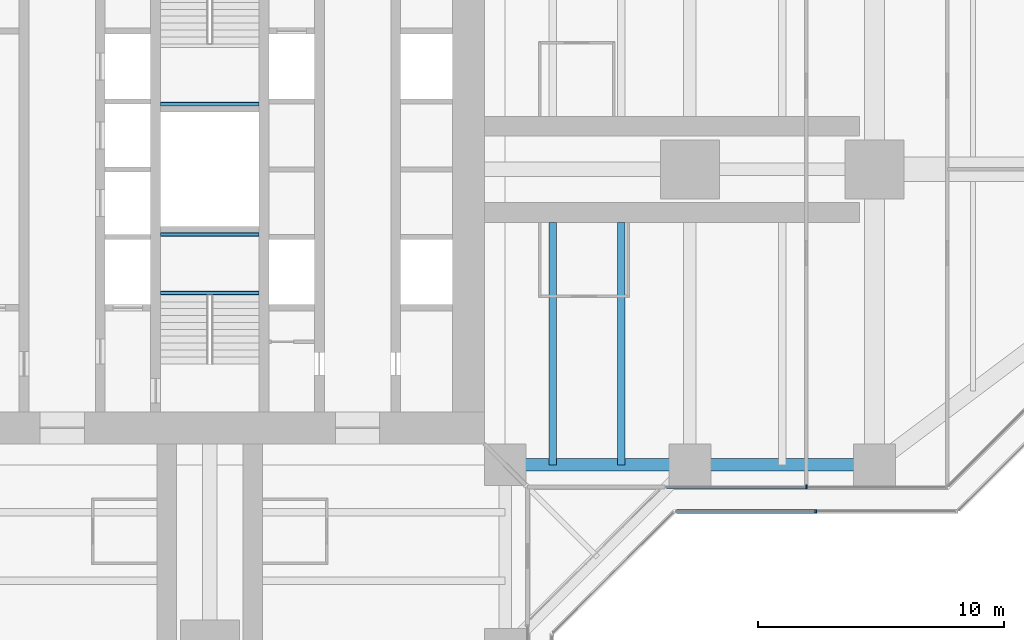
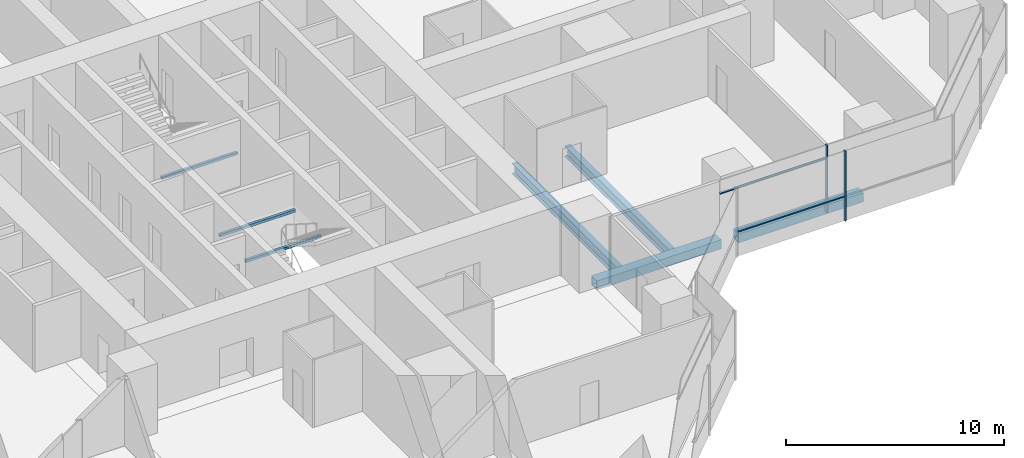
# One storey, part 5 of 20: 7 beams, 4 members, 2 elements without a shape of their own.
"""IFC4 building model written with IfcOpenShell, lengths in metres."""

from ifc_helpers import new_model, si_unit, direction, frame, origin, origin_2d, place, context, subcontext, project, spatial, rectangle, hollow_rectangle, i_section, extrude, material, material_profile, profile_set, type_object, element, aggregate, save


model = new_model("IFC4")

# Units and contexts
model_context = context("Model", 3, precision=1e-05, world=origin(), true_north=direction((0.0, 1.0)))
body_context = subcontext(model_context, "Body", "Model", "MODEL_VIEW")
ifc_project = project(units=[si_unit("LENGTHUNIT", "METRE"), si_unit("AREAUNIT", "SQUARE_METRE"), si_unit("VOLUMEUNIT", "CUBIC_METRE"), si_unit("PLANEANGLEUNIT", "RADIAN"), si_unit("MASSUNIT", "GRAM", prefix="KILO")], contexts=[model_context])

# Site, building, storey
site_placement = place(None, origin())
site = spatial("IfcSite", under=ifc_project, at=site_placement, CompositionType="ELEMENT")
building_placement = place(site_placement, origin())
building = spatial("IfcBuilding", under=site, at=building_placement, Name="Mizan Broadcast Tower", CompositionType="ELEMENT")
storey_placement = place(building_placement, frame((0.0, 0.0, 190.5)))
storey = spatial("IfcBuildingStorey", under=building, at=storey_placement, Name="L44", CompositionType="ELEMENT", Elevation=190.5)

# Beams
ifc_material_1 = material(Name="Steel S355", Category="steel")
ifc_material_profile_1 = material_profile(ifc_material_1, hollow_rectangle(XDim=0.5, YDim=0.5, WallThickness=0.030029296875, at=origin_2d()), Name="BOX 500x500x30")
ifc_profile_set_1 = profile_set([ifc_material_profile_1], Name="Steel S355")
beam_type_1 = type_object("IfcBeamType", Name="EDGE BEAM BOX 500x500x30", PredefinedType="SPANDREL", material=ifc_profile_set_1)
for number, where, z_axis, x_axis, name in (
    (1, (12.449951171875, -12.0, -0.3798828125), (1.0, 0.0, 0.0), (0.0, 1.0, 0.0), "Edge beam BOX 500x500x30 L44 east arm"),
    (2, (19.949951171875, -12.0, -0.3798828125), (1.0, 0.0, 0.0), (0.0, 1.0, 0.0), "Edge beam BOX 500x500x30 L44 east arm"),
):
    element("IfcBeam", number, at=place(storey_placement, frame(where, z_axis=z_axis, x_axis=x_axis)), inside=storey, type_object=beam_type_1, Name=name, PredefinedType="SPANDREL", context=body_context, shape_type="SweptSolid", body=[
        extrude(hollow_rectangle(XDim=0.5, YDim=0.5, WallThickness=0.030029296875, at=origin_2d()), origin(), (0.0, 0.0, 1.0), 6.60009765625),
    ])

# Curtain wall, members
ifc_material_2 = material(Name="Aluminium framed glazing", Category="aluminium")
curtain_wall_type_1 = type_object("IfcCurtainWallType", Name="INNER SKIN MID ZONE", PredefinedType="USERDEFINED", material=ifc_material_2)
curtain_wall_1_placement = place(storey_placement, origin())
curtain_wall_1 = element("IfcCurtainWall", 3, at=curtain_wall_1_placement, inside=storey, type_object=curtain_wall_type_1, Name="Inner skin mid zone L44 E side", ObjectType="INNER SKIN MID ZONE", PredefinedType="USERDEFINED")
ifc_material_3 = material(Name="Aluminium, pale anodised", Category="aluminium")
ifc_material_profile_2 = material_profile(ifc_material_3, rectangle(XDim=0.159912109375, YDim=0.06005859375, at=origin_2d()), Name="MULLION 160x60")
ifc_profile_set_2 = profile_set([ifc_material_profile_2], Name="Aluminium, pale anodised")
member_type_1 = type_object("IfcMemberType", Name="INNER SKIN MULLION 60x160", PredefinedType="MULLION", material=ifc_profile_set_2)
member_1_placement = place(storey_placement, frame((24.229248046875, -12.89990234375, 0.0), z_axis=(0.0, 0.0, 1.0), x_axis=(0.0, 1.0, 0.0)))
member_1 = element("IfcMember", 4, at=member_1_placement, type_object=member_type_1, Name="Inner skin mid zone L44 E side mullion 2", PredefinedType="MULLION", context=body_context, shape_type="SweptSolid", body=[
    extrude(rectangle(XDim=0.159912109375, YDim=0.06005859375, at=origin_2d()), origin(), (0.0, 0.0, 1.0), 3.77001953125),
])
ifc_material_4 = material(Name="Aluminium, pale anodised", Category="aluminium")
ifc_material_profile_3 = material_profile(ifc_material_4, rectangle(XDim=0.1201171875, YDim=0.06005859375, at=origin_2d()), Name="TRANSOM 120x60")
ifc_profile_set_3 = profile_set([ifc_material_profile_3], Name="Aluminium, pale anodised")
member_type_2 = type_object("IfcMemberType", Name="INNER SKIN TRANSOM 60x120", PredefinedType="USERDEFINED", material=ifc_profile_set_3)
member_2_placement = place(storey_placement, frame((18.56005859375, -12.89990234375, 3.030029296875), z_axis=(1.0, 0.0, 0.0), x_axis=(0.0, 1.0, 0.0)))
member_2 = element("IfcMember", 5, at=member_2_placement, type_object=member_type_2, Name="Inner skin mid zone L44 E side transom 1.1", ObjectType="TRANSOM", PredefinedType="USERDEFINED", context=body_context, shape_type="SweptSolid", body=[
    extrude(rectangle(XDim=0.1201171875, YDim=0.06005859375, at=origin_2d()), origin(), (0.0, 0.0, 1.0), 5.63916015625),
])
aggregate(curtain_wall_1, [member_1, member_2])

# Beams
ifc_material_5 = material(Name="Steel S355", Category="steel")
ifc_material_profile_4 = material_profile(ifc_material_5, hollow_rectangle(XDim=0.14990234375, YDim=0.14990234375, WallThickness=0.008056640625, InnerFilletRadius=0.008056640625, OuterFilletRadius=0.011962890625, at=origin_2d()), Name="SHS 150x150x8")
ifc_profile_set_4 = profile_set([ifc_material_profile_4], Name="Steel S355")
beam_type_2 = type_object("IfcBeamType", Name="LANDING TRIMMER SHS 150x150x8", PredefinedType="BEAM", material=ifc_profile_set_4)
for number, where, z_axis, x_axis, name in (
    (6, (-2.0, -5.02490234375, 1.675048828125), (1.0, 0.0, 0.0), (0.0, 1.0, 0.0), "Stair A landing trimmer L44"),
    (7, (-2.0, -2.64990234375, 1.675048828125), (1.0, 0.0, 0.0), (0.0, 1.0, 0.0), "Stair A landing trimmer L44"),
    (8, (2.0, 2.64990234375, 1.675048828125), (-1.0, 0.0, 0.0), (0.0, -1.0, 0.0), "Stair B landing trimmer L44"),
):
    element("IfcBeam", number, at=place(storey_placement, frame(where, z_axis=z_axis, x_axis=x_axis)), inside=storey, type_object=beam_type_2, Name=name, PredefinedType="BEAM", context=body_context, shape_type="SweptSolid", body=[
        extrude(hollow_rectangle(XDim=0.14990234375, YDim=0.14990234375, WallThickness=0.008056640625, InnerFilletRadius=0.008056640625, OuterFilletRadius=0.011962890625, at=origin_2d()), origin(), (0.0, 0.0, 1.0), 4.0),
    ])

# Curtain wall, members
ifc_material_6 = material(Name="Aluminium framed glazing", Category="aluminium")
curtain_wall_type_2 = type_object("IfcCurtainWallType", Name="OUTER SKIN", PredefinedType="USERDEFINED", material=ifc_material_6)
curtain_wall_2_placement = place(storey_placement, origin())
curtain_wall_2 = element("IfcCurtainWall", 9, at=curtain_wall_2_placement, inside=storey, type_object=curtain_wall_type_2, Name="Outer skin L44 E side", ObjectType="OUTER SKIN", PredefinedType="USERDEFINED")
ifc_material_7 = material(Name="Aluminium, pale anodised", Category="aluminium")
ifc_material_profile_5 = material_profile(ifc_material_7, rectangle(XDim=0.159912109375, YDim=0.080078125, at=origin_2d()), Name="MULLION 160x80")
ifc_profile_set_5 = profile_set([ifc_material_profile_5], Name="Aluminium, pale anodised")
member_type_3 = type_object("IfcMemberType", Name="OUTER SKIN MULLION 80x160", PredefinedType="MULLION", material=ifc_profile_set_5)
member_3_placement = place(storey_placement, frame((24.622802734375, -13.89990234375, 0.0), z_axis=(0.0, 0.0, 1.0), x_axis=(0.0, 1.0, 0.0)))
member_3 = element("IfcMember", 10, at=member_3_placement, type_object=member_type_3, Name="Outer skin L44 E side mullion 2", PredefinedType="MULLION", context=body_context, shape_type="SweptSolid", body=[
    extrude(rectangle(XDim=0.159912109375, YDim=0.080078125, at=origin_2d()), origin(), (0.0, 0.0, 1.0), 3.89990234375),
])
ifc_material_8 = material(Name="Aluminium, pale anodised", Category="aluminium")
ifc_material_profile_6 = material_profile(ifc_material_8, rectangle(XDim=0.159912109375, YDim=0.06005859375, at=origin_2d()), Name="TRANSOM 160x60")
ifc_profile_set_6 = profile_set([ifc_material_profile_6], Name="Aluminium, pale anodised")
member_type_4 = type_object("IfcMemberType", Name="OUTER SKIN TRANSOM 60x160", PredefinedType="USERDEFINED", material=ifc_profile_set_6)
member_4_placement = place(storey_placement, frame((18.952880859375, -13.89990234375, 1.39990234375), z_axis=(1.0, 0.0, 0.0), x_axis=(0.0, 1.0, 0.0)))
member_4 = element("IfcMember", 11, at=member_4_placement, type_object=member_type_4, Name="Outer skin L44 E side transom 1.1", ObjectType="TRANSOM", PredefinedType="USERDEFINED", context=body_context, shape_type="SweptSolid", body=[
    extrude(rectangle(XDim=0.159912109375, YDim=0.06005859375, at=origin_2d()), origin(), (0.0, 0.0, 1.0), 5.6298828125),
])
aggregate(curtain_wall_2, [member_3, member_4])

# Beams
ifc_material_9 = material(Name="Steel S355", Category="steel")
ifc_material_profile_7 = material_profile(ifc_material_9, i_section(OverallWidth=0.300048828125, OverallDepth=0.590087890625, WebThickness=0.012939453125, FlangeThickness=0.02490234375, FilletRadius=0.027099609375, at=origin_2d()), Name="HEA 600")
ifc_profile_set_7 = profile_set([ifc_material_profile_7], Name="Steel S355")
beam_type_3 = type_object("IfcBeamType", Name="SECONDARY BEAM HEA 600", PredefinedType="JOIST", material=ifc_profile_set_7)
for number, where, z_axis, x_axis, name in (
    (12, (13.933349609375, -12.0, -0.425048828125), (0.0, 1.0, 0.0), (-1.0, 0.0, 0.0), "Secondary beam HEA 600 L44 east arm"),
    (13, (16.716552734375, -12.0, -0.425048828125), (0.0, 1.0, 0.0), (-1.0, 0.0, 0.0), "Secondary beam HEA 600 L44 east arm"),
):
    element("IfcBeam", number, at=place(storey_placement, frame(where, z_axis=z_axis, x_axis=x_axis)), inside=storey, type_object=beam_type_3, Name=name, PredefinedType="JOIST", context=body_context, shape_type="SweptSolid", body=[
        extrude(i_section(OverallWidth=0.300048828125, OverallDepth=0.590087890625, WebThickness=0.012939453125, FlangeThickness=0.02490234375, FilletRadius=0.027099609375, at=origin_2d()), origin(), (0.0, 0.0, 1.0), 9.85009765625),
    ])

save(model, "model.ifc")
